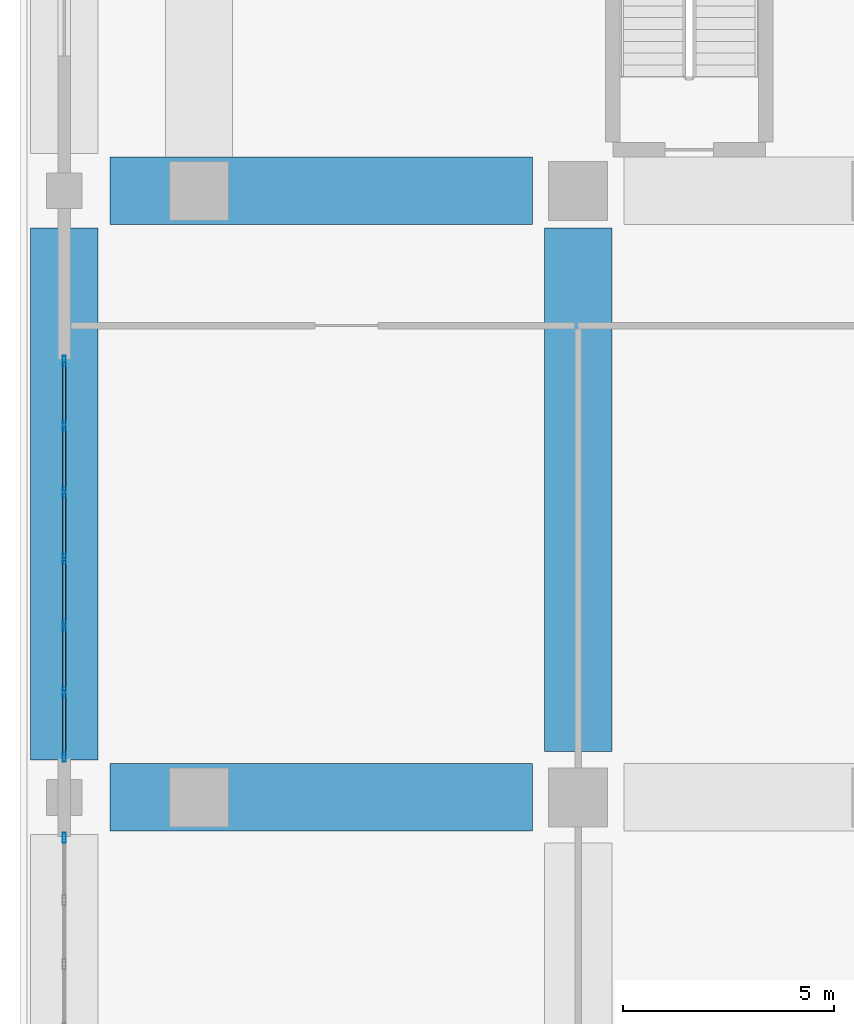
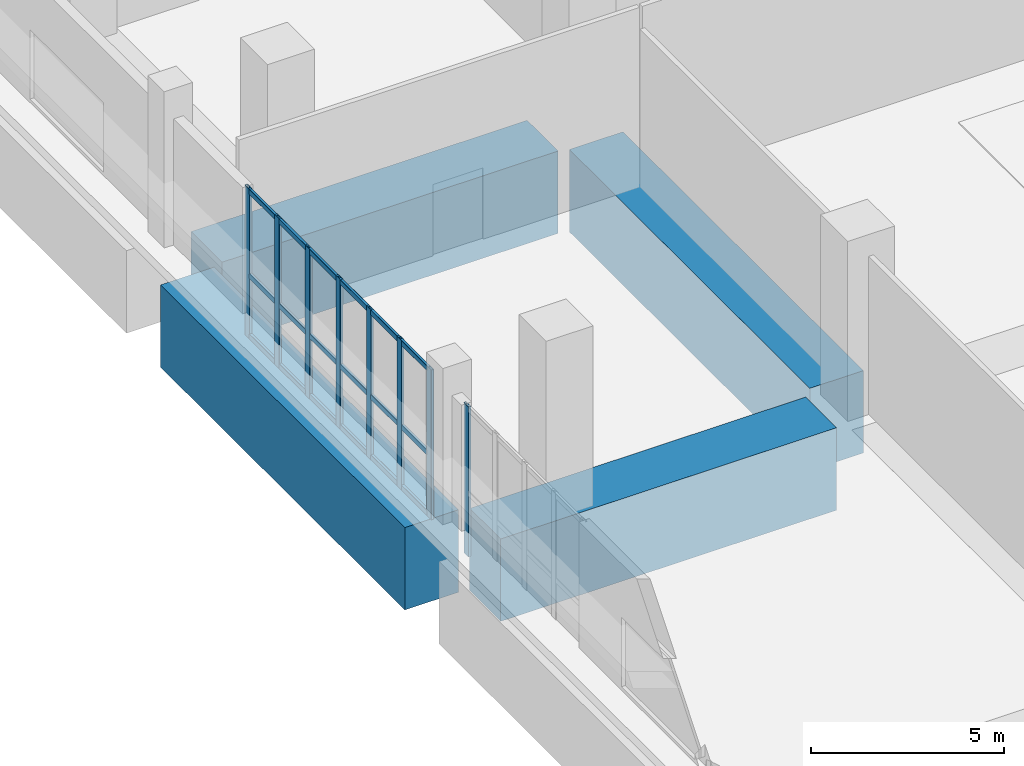
# One storey, part 5 of 25: 26 members, 4 beams, 2 elements without a shape of their own.
"""IFC4 building model written with IfcOpenShell, lengths in metres."""

from ifc_helpers import new_model, si_unit, direction, frame, origin, origin_2d, place, context, subcontext, project, spatial, rectangle, hollow_rectangle, extrude, material, layer, layer_set, material_profile, profile_set, type_object, element, aggregate, save


model = new_model("IFC4")

# Units and contexts
model_context = context("Model", 3, precision=1e-05, world=origin(), true_north=direction((0.0, 1.0)))
body_context = subcontext(model_context, "Body", "Model", "MODEL_VIEW")
ifc_project = project(units=[si_unit("LENGTHUNIT", "METRE"), si_unit("AREAUNIT", "SQUARE_METRE"), si_unit("VOLUMEUNIT", "CUBIC_METRE"), si_unit("PLANEANGLEUNIT", "RADIAN"), si_unit("MASSUNIT", "GRAM", prefix="KILO")], contexts=[model_context])

# Site, building, storey
site_placement = place(None, origin())
site = spatial("IfcSite", under=ifc_project, at=site_placement, CompositionType="ELEMENT")
building_placement = place(site_placement, origin())
building = spatial("IfcBuilding", under=site, at=building_placement, Name="Kaelvorn Grand Hotel", CompositionType="ELEMENT")
storey_placement = place(building_placement, frame((0.0, 0.0, 8.0)))
storey = spatial("IfcBuildingStorey", under=building, at=storey_placement, Name="L01", CompositionType="ELEMENT", Elevation=8.0)

# Beams
ifc_material_1 = material(Name="Concrete C80/95", Category="concrete")
ifc_material_profile_1 = material_profile(ifc_material_1, rectangle(XDim=1.60009765625, YDim=2.60009765625, at=origin_2d()), Name="RC TG 1600x2600")
ifc_profile_set_1 = profile_set([ifc_material_profile_1], Name="Concrete C80/95")
beam_type = type_object("IfcBeamType", Name="BM-TG-1600x2600-C80", PredefinedType="USERDEFINED", material=ifc_profile_set_1)
for number, where, z_axis, x_axis, name in (
    (1, (-2.114990234375, 15.0, -1.300048828125), (1.0, 0.0, 0.0), (0.0, 1.0, 0.0), "L01 Pilotis Transfer Girder TGX-M15 01"),
    (2, (-2.114990234375, 29.39990234375, -1.300048828125), (1.0, 0.0, 0.0), (0.0, 1.0, 0.0), "L01 Pilotis Transfer Girder TGX-C29 01"),
):
    element("IfcBeam", number, at=place(storey_placement, frame(where, z_axis=z_axis, x_axis=x_axis)), inside=storey, type_object=beam_type, Name=name, ObjectType="TRANSFER GIRDER", PredefinedType="USERDEFINED", context=body_context, shape_type="SweptSolid", body=[
        extrude(rectangle(XDim=1.60009765625, YDim=2.60009765625, at=origin_2d()), origin(), (0.0, 0.0, 1.0), 10.030029296875),
    ])
beam_1_placement = place(storey_placement, frame((-3.199951171875, 15.885009765625, -1.300048828125), z_axis=(0.0, 1.0, 0.0), x_axis=(-1.0, 0.0, 0.0)))
element("IfcBeam", 3, at=beam_1_placement, inside=storey, type_object=beam_type, Name="L01 Pilotis Transfer Girder TGY-W3 02", ObjectType="TRANSFER GIRDER", PredefinedType="USERDEFINED", context=body_context, shape_type="SweptSolid", body=[
    extrude(rectangle(XDim=1.60009765625, YDim=2.60009765625, at=origin_2d()), origin(), (0.0, 0.0, 1.0), 12.6298828125),
])
beam_2_placement = place(storey_placement, frame((9.0, 16.0849609375, -1.300048828125), z_axis=(0.0, 1.0, 0.0), x_axis=(-1.0, 0.0, 0.0)))
element("IfcBeam", 4, at=beam_2_placement, inside=storey, type_object=beam_type, Name="L01 Pilotis Transfer Girder TGY-X09 02", ObjectType="TRANSFER GIRDER", PredefinedType="USERDEFINED", context=body_context, shape_type="SweptSolid", body=[
    extrude(rectangle(XDim=1.60009765625, YDim=2.60009765625, at=origin_2d()), origin(), (0.0, 0.0, 1.0), 12.429931640625),
])

# Curtain wall, members
ifc_material_2 = material(Name="Anodised Aluminium", Category="aluminium")
ifc_layer = layer(ifc_material_2, 0.239990234375)
ifc_layer_set = layer_set([ifc_layer], Name="Anodised Aluminium")
curtain_wall_type = type_object("IfcCurtainWallType", Name="CW-SYS1", PredefinedType="NOTDEFINED", material=ifc_layer_set)
curtain_wall_1_placement = place(storey_placement, origin())
curtain_wall_1 = element("IfcCurtainWall", 5, at=curtain_wall_1_placement, inside=storey, type_object=curtain_wall_type, Name="L01 Unitised Curtain Wall CW1 (CW-L01-W-02)", PredefinedType="NOTDEFINED")
ifc_material_profile_2 = material_profile(ifc_material_2, hollow_rectangle(XDim=0.080078125, YDim=0.239990234375, WallThickness=0.0048828125, InnerFilletRadius=0.0048828125, OuterFilletRadius=0.010009765625, at=origin_2d()), Name="ALU MULL 80x240")
ifc_profile_set_2 = profile_set([ifc_material_profile_2], Name="Anodised Aluminium")
member_type_1 = type_object("IfcMemberType", Name="CW-SYS1-MULL", PredefinedType="MULLION", material=ifc_profile_set_2)
member_1_placement = place(storey_placement, frame((-3.199951171875, 25.360107421875, 0.0), z_axis=(0.0, 0.0, 1.0), x_axis=(1.0, 0.0, 0.0)))
member_1 = element("IfcMember", 6, at=member_1_placement, type_object=member_type_1, Name="CW1 mullion 1", PredefinedType="MULLION", context=body_context, shape_type="SweptSolid", body=[
    extrude(hollow_rectangle(XDim=0.080078125, YDim=0.239990234375, WallThickness=0.0048828125, InnerFilletRadius=0.0048828125, OuterFilletRadius=0.010009765625, at=origin_2d()), origin(), (0.0, 0.0, 1.0), 4.72998046875),
])
member_2_placement = place(storey_placement, frame((-3.199951171875, 23.820068359375, 0.0), z_axis=(0.0, 0.0, 1.0), x_axis=(1.0, 0.0, 0.0)))
member_2 = element("IfcMember", 7, at=member_2_placement, type_object=member_type_1, Name="CW1 mullion 2", PredefinedType="MULLION", context=body_context, shape_type="SweptSolid", body=[
    extrude(hollow_rectangle(XDim=0.080078125, YDim=0.239990234375, WallThickness=0.0048828125, InnerFilletRadius=0.0048828125, OuterFilletRadius=0.010009765625, at=origin_2d()), origin(), (0.0, 0.0, 1.0), 4.72998046875),
])
member_3_placement = place(storey_placement, frame((-3.199951171875, 22.239990234375, 0.0), z_axis=(0.0, 0.0, 1.0), x_axis=(1.0, 0.0, 0.0)))
member_3 = element("IfcMember", 8, at=member_3_placement, type_object=member_type_1, Name="CW1 mullion 3", PredefinedType="MULLION", context=body_context, shape_type="SweptSolid", body=[
    extrude(hollow_rectangle(XDim=0.080078125, YDim=0.239990234375, WallThickness=0.0048828125, InnerFilletRadius=0.0048828125, OuterFilletRadius=0.010009765625, at=origin_2d()), origin(), (0.0, 0.0, 1.0), 4.72998046875),
])
member_4_placement = place(storey_placement, frame((-3.199951171875, 20.659912109375, 0.0), z_axis=(0.0, 0.0, 1.0), x_axis=(1.0, 0.0, 0.0)))
member_4 = element("IfcMember", 9, at=member_4_placement, type_object=member_type_1, Name="CW1 mullion 4", PredefinedType="MULLION", context=body_context, shape_type="SweptSolid", body=[
    extrude(hollow_rectangle(XDim=0.080078125, YDim=0.239990234375, WallThickness=0.0048828125, InnerFilletRadius=0.0048828125, OuterFilletRadius=0.010009765625, at=origin_2d()), origin(), (0.0, 0.0, 1.0), 4.72998046875),
])
member_5_placement = place(storey_placement, frame((-3.199951171875, 19.080078125, 0.0), z_axis=(0.0, 0.0, 1.0), x_axis=(1.0, 0.0, 0.0)))
member_5 = element("IfcMember", 10, at=member_5_placement, type_object=member_type_1, Name="CW1 mullion 5", PredefinedType="MULLION", context=body_context, shape_type="SweptSolid", body=[
    extrude(hollow_rectangle(XDim=0.080078125, YDim=0.239990234375, WallThickness=0.0048828125, InnerFilletRadius=0.0048828125, OuterFilletRadius=0.010009765625, at=origin_2d()), origin(), (0.0, 0.0, 1.0), 4.72998046875),
])
member_6_placement = place(storey_placement, frame((-3.199951171875, 17.5, 0.0), z_axis=(0.0, 0.0, 1.0), x_axis=(1.0, 0.0, 0.0)))
member_6 = element("IfcMember", 11, at=member_6_placement, type_object=member_type_1, Name="CW1 mullion 6", PredefinedType="MULLION", context=body_context, shape_type="SweptSolid", body=[
    extrude(hollow_rectangle(XDim=0.080078125, YDim=0.239990234375, WallThickness=0.0048828125, InnerFilletRadius=0.0048828125, OuterFilletRadius=0.010009765625, at=origin_2d()), origin(), (0.0, 0.0, 1.0), 4.72998046875),
])
member_7_placement = place(storey_placement, frame((-3.199951171875, 15.9599609375, 0.0), z_axis=(0.0, 0.0, 1.0), x_axis=(1.0, 0.0, 0.0)))
member_7 = element("IfcMember", 12, at=member_7_placement, type_object=member_type_1, Name="CW1 mullion 7", PredefinedType="MULLION", context=body_context, shape_type="SweptSolid", body=[
    extrude(hollow_rectangle(XDim=0.080078125, YDim=0.239990234375, WallThickness=0.0048828125, InnerFilletRadius=0.0048828125, OuterFilletRadius=0.010009765625, at=origin_2d()), origin(), (0.0, 0.0, 1.0), 4.72998046875),
])

# Curtain wall, member
curtain_wall_2_placement = place(storey_placement, origin())
curtain_wall_2 = element("IfcCurtainWall", 13, at=curtain_wall_2_placement, inside=storey, type_object=curtain_wall_type, Name="L01 Unitised Curtain Wall CW1 (CW-L01-W-01)", PredefinedType="NOTDEFINED")
member_8_placement = place(storey_placement, frame((-3.199951171875, 14.0400390625, 0.0), z_axis=(0.0, 0.0, 1.0), x_axis=(1.0, 0.0, 0.0)))
member_8 = element("IfcMember", 14, at=member_8_placement, type_object=member_type_1, Name="CW1 mullion 1", PredefinedType="MULLION", context=body_context, shape_type="SweptSolid", body=[
    extrude(hollow_rectangle(XDim=0.080078125, YDim=0.239990234375, WallThickness=0.0048828125, InnerFilletRadius=0.0048828125, OuterFilletRadius=0.010009765625, at=origin_2d()), origin(), (0.0, 0.0, 1.0), 4.72998046875),
])
aggregate(curtain_wall_2, [member_8])

# Member
ifc_material_profile_3 = material_profile(ifc_material_2, hollow_rectangle(XDim=0.080078125, YDim=0.1650390625, WallThickness=0.00439453125, InnerFilletRadius=0.00439453125, OuterFilletRadius=0.009033203125, at=origin_2d()), Name="ALU TRAN 80x165")
ifc_profile_set_3 = profile_set([ifc_material_profile_3], Name="Anodised Aluminium")
member_type_2 = type_object("IfcMemberType", Name="CW-SYS1-TRAN", PredefinedType="NOTDEFINED", material=ifc_profile_set_3)
member_9_placement = place(storey_placement, frame((-3.199951171875, 25.320068359375, 0.08251953125), z_axis=(0.0, -1.0, 0.0), x_axis=(1.0, 0.0, 0.0)))
member_9 = element("IfcMember", 15, at=member_9_placement, type_object=member_type_2, Name="CW1 transom 1.1", ObjectType="TRANSOM", PredefinedType="USERDEFINED", context=body_context, shape_type="SweptSolid", body=[
    extrude(hollow_rectangle(XDim=0.080078125, YDim=0.1650390625, WallThickness=0.00439453125, InnerFilletRadius=0.00439453125, OuterFilletRadius=0.009033203125, at=origin_2d()), origin(), (0.0, 0.0, 1.0), 1.4599609375),
])

member_10_placement = place(storey_placement, frame((-3.199951171875, 25.320068359375, 1.986572265625), z_axis=(0.0, -1.0, 0.0), x_axis=(1.0, 0.0, 0.0)))
member_10 = element("IfcMember", 16, at=member_10_placement, type_object=member_type_2, Name="CW1 transom 1.2", ObjectType="TRANSOM", PredefinedType="USERDEFINED", context=body_context, shape_type="SweptSolid", body=[
    extrude(hollow_rectangle(XDim=0.080078125, YDim=0.1650390625, WallThickness=0.00439453125, InnerFilletRadius=0.00439453125, OuterFilletRadius=0.009033203125, at=origin_2d()), origin(), (0.0, 0.0, 1.0), 1.4599609375),
])

member_11_placement = place(storey_placement, frame((-3.199951171875, 25.320068359375, 4.6474609375), z_axis=(0.0, -1.0, 0.0), x_axis=(1.0, 0.0, 0.0)))
member_11 = element("IfcMember", 17, at=member_11_placement, type_object=member_type_2, Name="CW1 transom 1.3", ObjectType="TRANSOM", PredefinedType="USERDEFINED", context=body_context, shape_type="SweptSolid", body=[
    extrude(hollow_rectangle(XDim=0.080078125, YDim=0.1650390625, WallThickness=0.00439453125, InnerFilletRadius=0.00439453125, OuterFilletRadius=0.009033203125, at=origin_2d()), origin(), (0.0, 0.0, 1.0), 1.4599609375),
])

member_12_placement = place(storey_placement, frame((-3.199951171875, 23.780029296875, 0.08251953125), z_axis=(0.0, -1.0, 0.0), x_axis=(1.0, 0.0, 0.0)))
member_12 = element("IfcMember", 18, at=member_12_placement, type_object=member_type_2, Name="CW1 transom 2.1", ObjectType="TRANSOM", PredefinedType="USERDEFINED", context=body_context, shape_type="SweptSolid", body=[
    extrude(hollow_rectangle(XDim=0.080078125, YDim=0.1650390625, WallThickness=0.00439453125, InnerFilletRadius=0.00439453125, OuterFilletRadius=0.009033203125, at=origin_2d()), origin(), (0.0, 0.0, 1.0), 1.5),
])

member_13_placement = place(storey_placement, frame((-3.199951171875, 23.780029296875, 1.986572265625), z_axis=(0.0, -1.0, 0.0), x_axis=(1.0, 0.0, 0.0)))
member_13 = element("IfcMember", 19, at=member_13_placement, type_object=member_type_2, Name="CW1 transom 2.2", ObjectType="TRANSOM", PredefinedType="USERDEFINED", context=body_context, shape_type="SweptSolid", body=[
    extrude(hollow_rectangle(XDim=0.080078125, YDim=0.1650390625, WallThickness=0.00439453125, InnerFilletRadius=0.00439453125, OuterFilletRadius=0.009033203125, at=origin_2d()), origin(), (0.0, 0.0, 1.0), 1.5),
])

member_14_placement = place(storey_placement, frame((-3.199951171875, 23.780029296875, 4.6474609375), z_axis=(0.0, -1.0, 0.0), x_axis=(1.0, 0.0, 0.0)))
member_14 = element("IfcMember", 20, at=member_14_placement, type_object=member_type_2, Name="CW1 transom 2.3", ObjectType="TRANSOM", PredefinedType="USERDEFINED", context=body_context, shape_type="SweptSolid", body=[
    extrude(hollow_rectangle(XDim=0.080078125, YDim=0.1650390625, WallThickness=0.00439453125, InnerFilletRadius=0.00439453125, OuterFilletRadius=0.009033203125, at=origin_2d()), origin(), (0.0, 0.0, 1.0), 1.5),
])

member_15_placement = place(storey_placement, frame((-3.199951171875, 22.199951171875, 0.08251953125), z_axis=(0.0, -1.0, 0.0), x_axis=(1.0, 0.0, 0.0)))
member_15 = element("IfcMember", 21, at=member_15_placement, type_object=member_type_2, Name="CW1 transom 3.1", ObjectType="TRANSOM", PredefinedType="USERDEFINED", context=body_context, shape_type="SweptSolid", body=[
    extrude(hollow_rectangle(XDim=0.080078125, YDim=0.1650390625, WallThickness=0.00439453125, InnerFilletRadius=0.00439453125, OuterFilletRadius=0.009033203125, at=origin_2d()), origin(), (0.0, 0.0, 1.0), 1.5),
])

member_16_placement = place(storey_placement, frame((-3.199951171875, 22.199951171875, 1.986572265625), z_axis=(0.0, -1.0, 0.0), x_axis=(1.0, 0.0, 0.0)))
member_16 = element("IfcMember", 22, at=member_16_placement, type_object=member_type_2, Name="CW1 transom 3.2", ObjectType="TRANSOM", PredefinedType="USERDEFINED", context=body_context, shape_type="SweptSolid", body=[
    extrude(hollow_rectangle(XDim=0.080078125, YDim=0.1650390625, WallThickness=0.00439453125, InnerFilletRadius=0.00439453125, OuterFilletRadius=0.009033203125, at=origin_2d()), origin(), (0.0, 0.0, 1.0), 1.5),
])

member_17_placement = place(storey_placement, frame((-3.199951171875, 22.199951171875, 4.6474609375), z_axis=(0.0, -1.0, 0.0), x_axis=(1.0, 0.0, 0.0)))
member_17 = element("IfcMember", 23, at=member_17_placement, type_object=member_type_2, Name="CW1 transom 3.3", ObjectType="TRANSOM", PredefinedType="USERDEFINED", context=body_context, shape_type="SweptSolid", body=[
    extrude(hollow_rectangle(XDim=0.080078125, YDim=0.1650390625, WallThickness=0.00439453125, InnerFilletRadius=0.00439453125, OuterFilletRadius=0.009033203125, at=origin_2d()), origin(), (0.0, 0.0, 1.0), 1.5),
])

member_18_placement = place(storey_placement, frame((-3.199951171875, 20.6201171875, 0.08251953125), z_axis=(0.0, -1.0, 0.0), x_axis=(1.0, 0.0, 0.0)))
member_18 = element("IfcMember", 24, at=member_18_placement, type_object=member_type_2, Name="CW1 transom 4.1", ObjectType="TRANSOM", PredefinedType="USERDEFINED", context=body_context, shape_type="SweptSolid", body=[
    extrude(hollow_rectangle(XDim=0.080078125, YDim=0.1650390625, WallThickness=0.00439453125, InnerFilletRadius=0.00439453125, OuterFilletRadius=0.009033203125, at=origin_2d()), origin(), (0.0, 0.0, 1.0), 1.5),
])

member_19_placement = place(storey_placement, frame((-3.199951171875, 20.6201171875, 1.986572265625), z_axis=(0.0, -1.0, 0.0), x_axis=(1.0, 0.0, 0.0)))
member_19 = element("IfcMember", 25, at=member_19_placement, type_object=member_type_2, Name="CW1 transom 4.2", ObjectType="TRANSOM", PredefinedType="USERDEFINED", context=body_context, shape_type="SweptSolid", body=[
    extrude(hollow_rectangle(XDim=0.080078125, YDim=0.1650390625, WallThickness=0.00439453125, InnerFilletRadius=0.00439453125, OuterFilletRadius=0.009033203125, at=origin_2d()), origin(), (0.0, 0.0, 1.0), 1.5),
])

member_20_placement = place(storey_placement, frame((-3.199951171875, 20.6201171875, 4.6474609375), z_axis=(0.0, -1.0, 0.0), x_axis=(1.0, 0.0, 0.0)))
member_20 = element("IfcMember", 26, at=member_20_placement, type_object=member_type_2, Name="CW1 transom 4.3", ObjectType="TRANSOM", PredefinedType="USERDEFINED", context=body_context, shape_type="SweptSolid", body=[
    extrude(hollow_rectangle(XDim=0.080078125, YDim=0.1650390625, WallThickness=0.00439453125, InnerFilletRadius=0.00439453125, OuterFilletRadius=0.009033203125, at=origin_2d()), origin(), (0.0, 0.0, 1.0), 1.5),
])

member_21_placement = place(storey_placement, frame((-3.199951171875, 19.0400390625, 0.08251953125), z_axis=(0.0, -1.0, 0.0), x_axis=(1.0, 0.0, 0.0)))
member_21 = element("IfcMember", 27, at=member_21_placement, type_object=member_type_2, Name="CW1 transom 5.1", ObjectType="TRANSOM", PredefinedType="USERDEFINED", context=body_context, shape_type="SweptSolid", body=[
    extrude(hollow_rectangle(XDim=0.080078125, YDim=0.1650390625, WallThickness=0.00439453125, InnerFilletRadius=0.00439453125, OuterFilletRadius=0.009033203125, at=origin_2d()), origin(), (0.0, 0.0, 1.0), 1.5),
])

member_22_placement = place(storey_placement, frame((-3.199951171875, 19.0400390625, 1.986572265625), z_axis=(0.0, -1.0, 0.0), x_axis=(1.0, 0.0, 0.0)))
member_22 = element("IfcMember", 28, at=member_22_placement, type_object=member_type_2, Name="CW1 transom 5.2", ObjectType="TRANSOM", PredefinedType="USERDEFINED", context=body_context, shape_type="SweptSolid", body=[
    extrude(hollow_rectangle(XDim=0.080078125, YDim=0.1650390625, WallThickness=0.00439453125, InnerFilletRadius=0.00439453125, OuterFilletRadius=0.009033203125, at=origin_2d()), origin(), (0.0, 0.0, 1.0), 1.5),
])

member_23_placement = place(storey_placement, frame((-3.199951171875, 19.0400390625, 4.6474609375), z_axis=(0.0, -1.0, 0.0), x_axis=(1.0, 0.0, 0.0)))
member_23 = element("IfcMember", 29, at=member_23_placement, type_object=member_type_2, Name="CW1 transom 5.3", ObjectType="TRANSOM", PredefinedType="USERDEFINED", context=body_context, shape_type="SweptSolid", body=[
    extrude(hollow_rectangle(XDim=0.080078125, YDim=0.1650390625, WallThickness=0.00439453125, InnerFilletRadius=0.00439453125, OuterFilletRadius=0.009033203125, at=origin_2d()), origin(), (0.0, 0.0, 1.0), 1.5),
])

member_24_placement = place(storey_placement, frame((-3.199951171875, 17.4599609375, 0.08251953125), z_axis=(0.0, -1.0, 0.0), x_axis=(1.0, 0.0, 0.0)))
member_24 = element("IfcMember", 30, at=member_24_placement, type_object=member_type_2, Name="CW1 transom 6.1", ObjectType="TRANSOM", PredefinedType="USERDEFINED", context=body_context, shape_type="SweptSolid", body=[
    extrude(hollow_rectangle(XDim=0.080078125, YDim=0.1650390625, WallThickness=0.00439453125, InnerFilletRadius=0.00439453125, OuterFilletRadius=0.009033203125, at=origin_2d()), origin(), (0.0, 0.0, 1.0), 1.4599609375),
])

member_25_placement = place(storey_placement, frame((-3.199951171875, 17.4599609375, 1.986572265625), z_axis=(0.0, -1.0, 0.0), x_axis=(1.0, 0.0, 0.0)))
member_25 = element("IfcMember", 31, at=member_25_placement, type_object=member_type_2, Name="CW1 transom 6.2", ObjectType="TRANSOM", PredefinedType="USERDEFINED", context=body_context, shape_type="SweptSolid", body=[
    extrude(hollow_rectangle(XDim=0.080078125, YDim=0.1650390625, WallThickness=0.00439453125, InnerFilletRadius=0.00439453125, OuterFilletRadius=0.009033203125, at=origin_2d()), origin(), (0.0, 0.0, 1.0), 1.4599609375),
])

member_26_placement = place(storey_placement, frame((-3.199951171875, 17.4599609375, 4.6474609375), z_axis=(0.0, -1.0, 0.0), x_axis=(1.0, 0.0, 0.0)))
member_26 = element("IfcMember", 32, at=member_26_placement, type_object=member_type_2, Name="CW1 transom 6.3", ObjectType="TRANSOM", PredefinedType="USERDEFINED", context=body_context, shape_type="SweptSolid", body=[
    extrude(hollow_rectangle(XDim=0.080078125, YDim=0.1650390625, WallThickness=0.00439453125, InnerFilletRadius=0.00439453125, OuterFilletRadius=0.009033203125, at=origin_2d()), origin(), (0.0, 0.0, 1.0), 1.4599609375),
])

aggregate(curtain_wall_1, [member_1, member_2, member_3, member_4, member_5, member_6, member_7, member_9, member_10, member_11, member_12, member_13, member_14, member_15, member_16, member_17, member_18, member_19, member_20, member_21, member_22, member_23, member_24, member_25, member_26])

save(model, "model.ifc")
